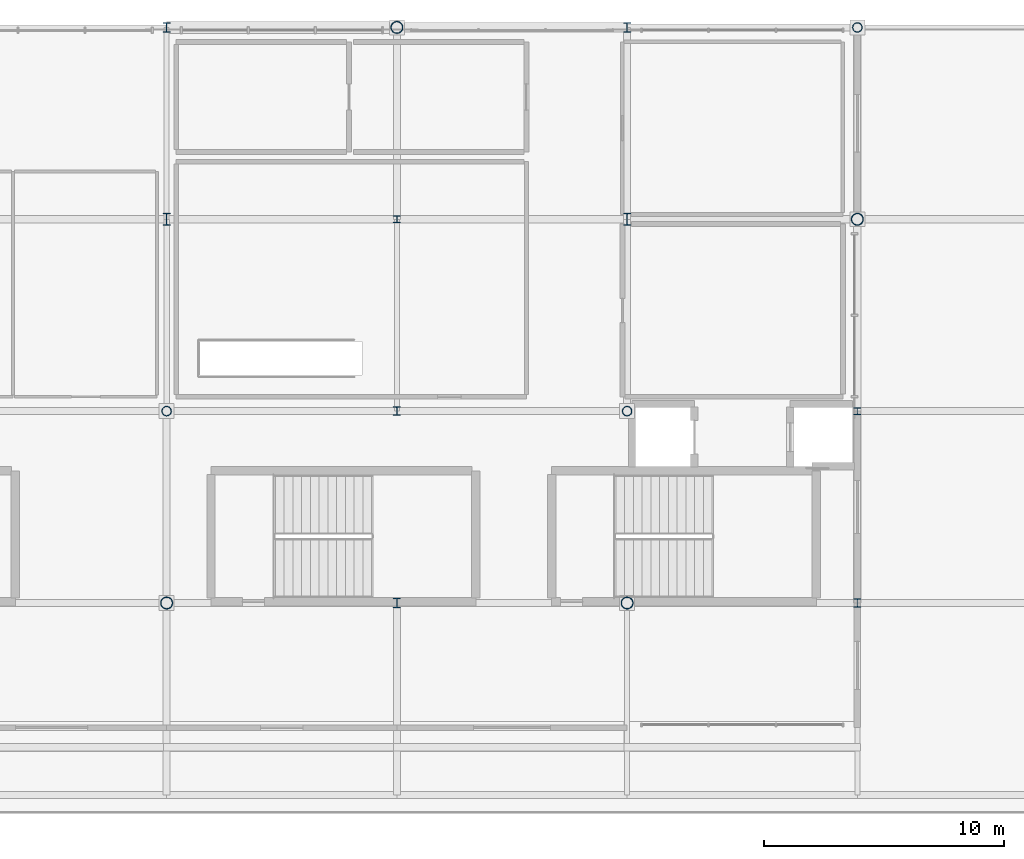
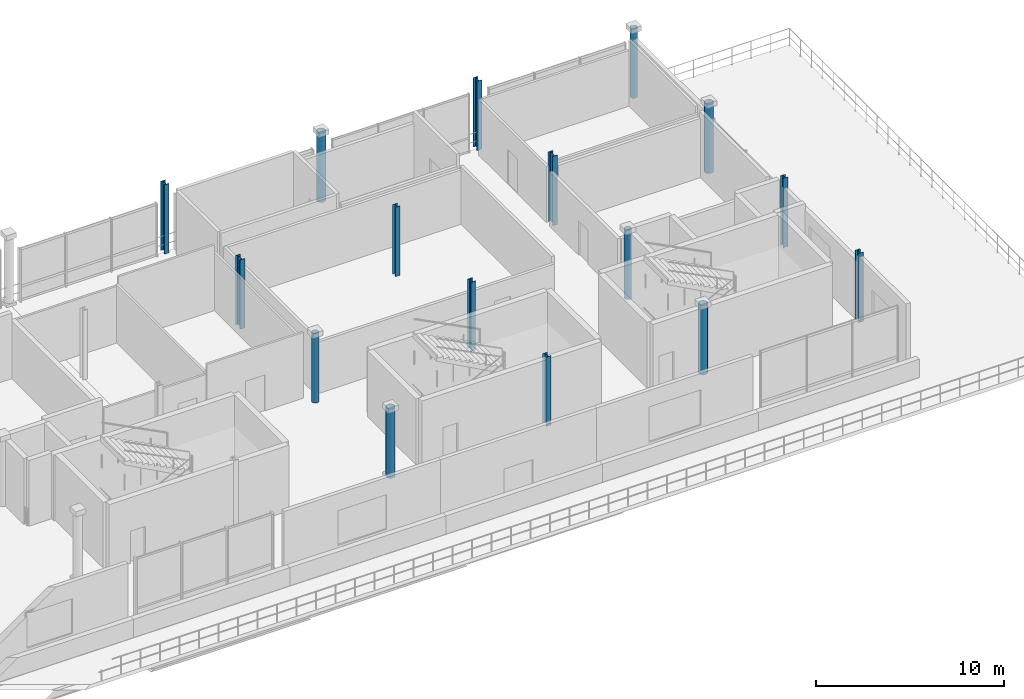
# One storey, part 4 of 26: 16 columns.
"""IFC4 building model written with IfcOpenShell, lengths in metres."""

from ifc_helpers import new_model, si_unit, direction, frame, origin, origin_2d, place, context, subcontext, project, spatial, hollow_circle, i_section, extrude, material, material_profile, profile_set, type_object, element, save


model = new_model("IFC4")

# Units and contexts
model_context = context("Model", 3, precision=1e-05, world=origin(), true_north=direction((0.0, 1.0)))
body_context = subcontext(model_context, "Body", "Model", "MODEL_VIEW")
ifc_project = project(units=[si_unit("LENGTHUNIT", "METRE"), si_unit("AREAUNIT", "SQUARE_METRE"), si_unit("VOLUMEUNIT", "CUBIC_METRE"), si_unit("PLANEANGLEUNIT", "RADIAN"), si_unit("MASSUNIT", "GRAM", prefix="KILO")], contexts=[model_context])

# Site, building, storey
site_placement = place(None, origin())
site = spatial("IfcSite", under=ifc_project, at=site_placement, CompositionType="ELEMENT")
building_placement = place(site_placement, origin())
building = spatial("IfcBuilding", under=site, at=building_placement, Name="Danafjord Basin Convention Centre", CompositionType="ELEMENT")
storey_placement = place(building_placement, frame((0.0, 0.0, 24.89990234375)))
storey = spatial("IfcBuildingStorey", under=building, at=storey_placement, Name="L05", CompositionType="ELEMENT", Elevation=24.89990234375)

# Columns
ifc_material = material(Name="Steel S355", Category="steel")
ifc_material_profile_1 = material_profile(ifc_material, hollow_circle(Radius=0.203125, WallThickness=0.02001953125, at=origin_2d()), Name="CHS 406.4x20.0")
ifc_profile_set_1 = profile_set([ifc_material_profile_1], Name="Steel S355")
column_type_1 = type_object("IfcColumnType", Name="COL-C-CHS406", PredefinedType="COLUMN", material=ifc_profile_set_1)
for number, where, z_axis, x_axis, name in (
    (1, (67.199951171875, 24.0, 0.0), (0.0, 0.0, 1.0), (1.0, 0.0, 0.0), "L05 column C-CHS406 at (67.2, 24.0)"),
    (2, (86.39990234375, 24.0, 0.0), (0.0, 0.0, 1.0), (1.0, 0.0, 0.0), "L05 column C-CHS406 at (86.4, 24.0)"),
    (3, (96.0, 40.0, 0.0), (0.0, 0.0, 1.0), (1.0, 0.0, 0.0), "L05 column C-CHS406 at (96.0, 40.0)"),
):
    element("IfcColumn", number, at=place(storey_placement, frame(where, z_axis=z_axis, x_axis=x_axis)), inside=storey, type_object=column_type_1, Name=name, PredefinedType="COLUMN", context=body_context, shape_type="SweptSolid", body=[
        extrude(hollow_circle(Radius=0.203125, WallThickness=0.02001953125, at=origin_2d()), origin(), (0.0, 0.0, 1.0), 4.5),
    ])
ifc_material_profile_2 = material_profile(ifc_material, hollow_circle(Radius=0.25390625, WallThickness=0.02490234375, at=origin_2d()), Name="CHS 508.0x25.0")
ifc_profile_set_2 = profile_set([ifc_material_profile_2], Name="Steel S355")
column_type_2 = type_object("IfcColumnType", Name="COL-C-CHS508", PredefinedType="COLUMN", material=ifc_profile_set_2)
for number, where, z_axis, x_axis, name in (
    (4, (67.199951171875, 16.0, 0.0), (0.0, 0.0, 1.0), (1.0, 0.0, 0.0), "L05 column C-CHS508 at (67.2, 16.0)"),
    (5, (76.800048828125, 40.0, 0.0), (0.0, 0.0, 1.0), (1.0, 0.0, 0.0), "L05 column C-CHS508 at (76.8, 40.0)"),
    (6, (86.39990234375, 16.0, 0.0), (0.0, 0.0, 1.0), (1.0, 0.0, 0.0), "L05 column C-CHS508 at (86.4, 16.0)"),
    (7, (96.0, 32.0, 0.0), (0.0, 0.0, 1.0), (1.0, 0.0, 0.0), "L05 column C-CHS508 at (96.0, 32.0)"),
):
    element("IfcColumn", number, at=place(storey_placement, frame(where, z_axis=z_axis, x_axis=x_axis)), inside=storey, type_object=column_type_2, Name=name, PredefinedType="COLUMN", context=body_context, shape_type="SweptSolid", body=[
        extrude(hollow_circle(Radius=0.25390625, WallThickness=0.02490234375, at=origin_2d()), origin(), (0.0, 0.0, 1.0), 4.5),
    ])
ifc_material_profile_3 = material_profile(ifc_material, i_section(OverallWidth=0.300048828125, OverallDepth=0.300048828125, WebThickness=0.010986328125, FlangeThickness=0.01904296875, FilletRadius=0.027099609375, at=origin_2d()), Name="HEB 300")
ifc_profile_set_3 = profile_set([ifc_material_profile_3], Name="Steel S355")
column_type_3 = type_object("IfcColumnType", Name="COL-C-HEB300", PredefinedType="COLUMN", material=ifc_profile_set_3)
for number, where, z_axis, x_axis, name in (
    (8, (76.800048828125, 32.0, 0.0), (0.0, 0.0, 1.0), (1.0, 0.0, 0.0), "L05 column C-HEB300 at (76.8, 32.0)"),
    (9, (96.0, 24.0, 0.0), (0.0, 0.0, 1.0), (1.0, 0.0, 0.0), "L05 column C-HEB300 at (96.0, 24.0)"),
):
    element("IfcColumn", number, at=place(storey_placement, frame(where, z_axis=z_axis, x_axis=x_axis)), inside=storey, type_object=column_type_3, Name=name, PredefinedType="COLUMN", context=body_context, shape_type="SweptSolid", body=[
        extrude(i_section(OverallWidth=0.300048828125, OverallDepth=0.300048828125, WebThickness=0.010986328125, FlangeThickness=0.01904296875, FilletRadius=0.027099609375, at=origin_2d()), origin(), (0.0, 0.0, 1.0), 4.5),
    ])
ifc_material_profile_4 = material_profile(ifc_material, i_section(OverallWidth=0.300048828125, OverallDepth=0.360107421875, WebThickness=0.012451171875, FlangeThickness=0.0224609375, FilletRadius=0.027099609375, at=origin_2d()), Name="HEB 360")
ifc_profile_set_4 = profile_set([ifc_material_profile_4], Name="Steel S355")
column_type_4 = type_object("IfcColumnType", Name="COL-C-HEB360", PredefinedType="COLUMN", material=ifc_profile_set_4)
for number, where, z_axis, x_axis, name in (
    (10, (76.800048828125, 24.0, 0.0), (0.0, 0.0, 1.0), (1.0, 0.0, 0.0), "L05 column C-HEB360 at (76.8, 24.0)"),
    (11, (96.0, 16.0, 0.0), (0.0, 0.0, 1.0), (1.0, 0.0, 0.0), "L05 column C-HEB360 at (96.0, 16.0)"),
):
    element("IfcColumn", number, at=place(storey_placement, frame(where, z_axis=z_axis, x_axis=x_axis)), inside=storey, type_object=column_type_4, Name=name, PredefinedType="COLUMN", context=body_context, shape_type="SweptSolid", body=[
        extrude(i_section(OverallWidth=0.300048828125, OverallDepth=0.360107421875, WebThickness=0.012451171875, FlangeThickness=0.0224609375, FilletRadius=0.027099609375, at=origin_2d()), origin(), (0.0, 0.0, 1.0), 4.5),
    ])
ifc_material_profile_5 = material_profile(ifc_material, i_section(OverallWidth=0.300048828125, OverallDepth=0.39990234375, WebThickness=0.013427734375, FlangeThickness=0.02392578125, FilletRadius=0.027099609375, at=origin_2d()), Name="HEB 400")
ifc_profile_set_5 = profile_set([ifc_material_profile_5], Name="Steel S355")
column_type_5 = type_object("IfcColumnType", Name="COL-C-HEB400", PredefinedType="COLUMN", material=ifc_profile_set_5)
for number, where, z_axis, x_axis, name in (
    (12, (67.199951171875, 40.0, 0.0), (0.0, 0.0, 1.0), (1.0, 0.0, 0.0), "L05 column C-HEB400 at (67.2, 40.0)"),
    (13, (76.800048828125, 16.0, 0.0), (0.0, 0.0, 1.0), (1.0, 0.0, 0.0), "L05 column C-HEB400 at (76.8, 16.0)"),
    (14, (86.39990234375, 40.0, 0.0), (0.0, 0.0, 1.0), (1.0, 0.0, 0.0), "L05 column C-HEB400 at (86.4, 40.0)"),
):
    element("IfcColumn", number, at=place(storey_placement, frame(where, z_axis=z_axis, x_axis=x_axis)), inside=storey, type_object=column_type_5, Name=name, PredefinedType="COLUMN", context=body_context, shape_type="SweptSolid", body=[
        extrude(i_section(OverallWidth=0.300048828125, OverallDepth=0.39990234375, WebThickness=0.013427734375, FlangeThickness=0.02392578125, FilletRadius=0.027099609375, at=origin_2d()), origin(), (0.0, 0.0, 1.0), 4.5),
    ])
ifc_material_profile_6 = material_profile(ifc_material, i_section(OverallWidth=0.300048828125, OverallDepth=0.5, WebThickness=0.014404296875, FlangeThickness=0.028076171875, FilletRadius=0.027099609375, at=origin_2d()), Name="HEB 500")
ifc_profile_set_6 = profile_set([ifc_material_profile_6], Name="Steel S355")
column_type_6 = type_object("IfcColumnType", Name="COL-C-HEB500", PredefinedType="COLUMN", material=ifc_profile_set_6)
for number, where, z_axis, x_axis, name in (
    (15, (67.199951171875, 32.0, 0.0), (0.0, 0.0, 1.0), (1.0, 0.0, 0.0), "L05 column C-HEB500 at (67.2, 32.0)"),
    (16, (86.39990234375, 32.0, 0.0), (0.0, 0.0, 1.0), (1.0, 0.0, 0.0), "L05 column C-HEB500 at (86.4, 32.0)"),
):
    element("IfcColumn", number, at=place(storey_placement, frame(where, z_axis=z_axis, x_axis=x_axis)), inside=storey, type_object=column_type_6, Name=name, PredefinedType="COLUMN", context=body_context, shape_type="SweptSolid", body=[
        extrude(i_section(OverallWidth=0.300048828125, OverallDepth=0.5, WebThickness=0.014404296875, FlangeThickness=0.028076171875, FilletRadius=0.027099609375, at=origin_2d()), origin(), (0.0, 0.0, 1.0), 4.5),
    ])

save(model, "model.ifc")
